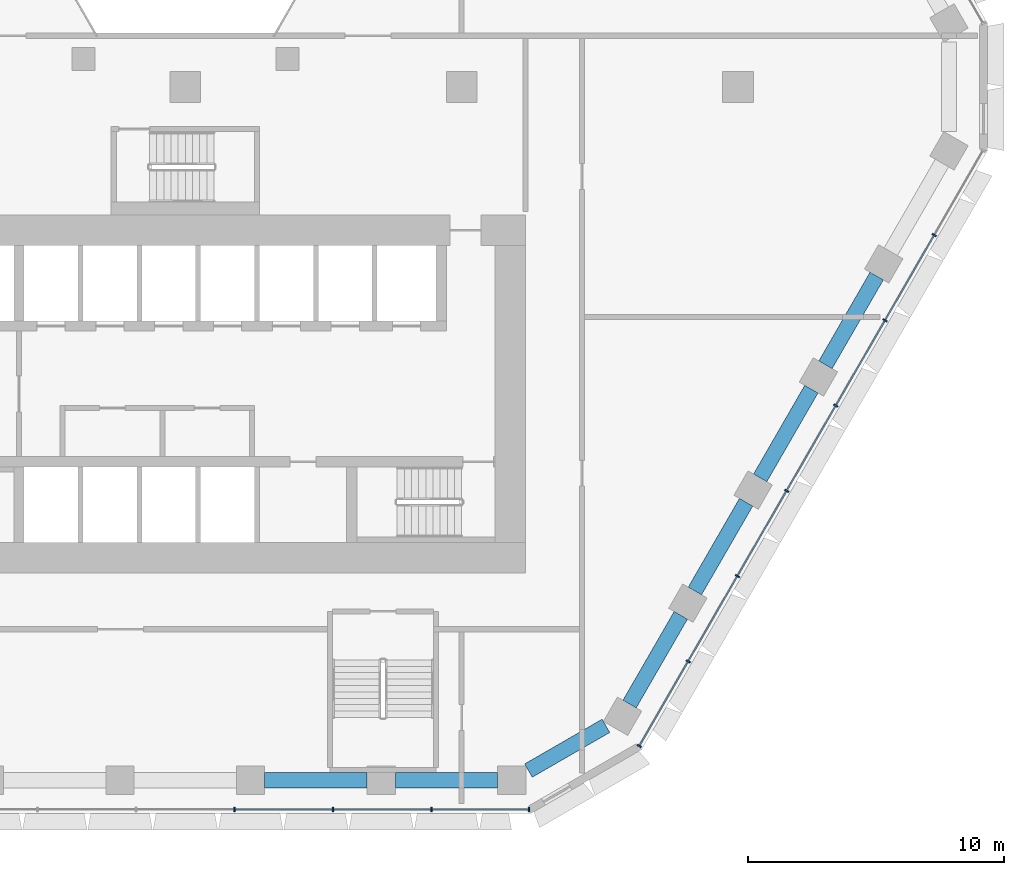
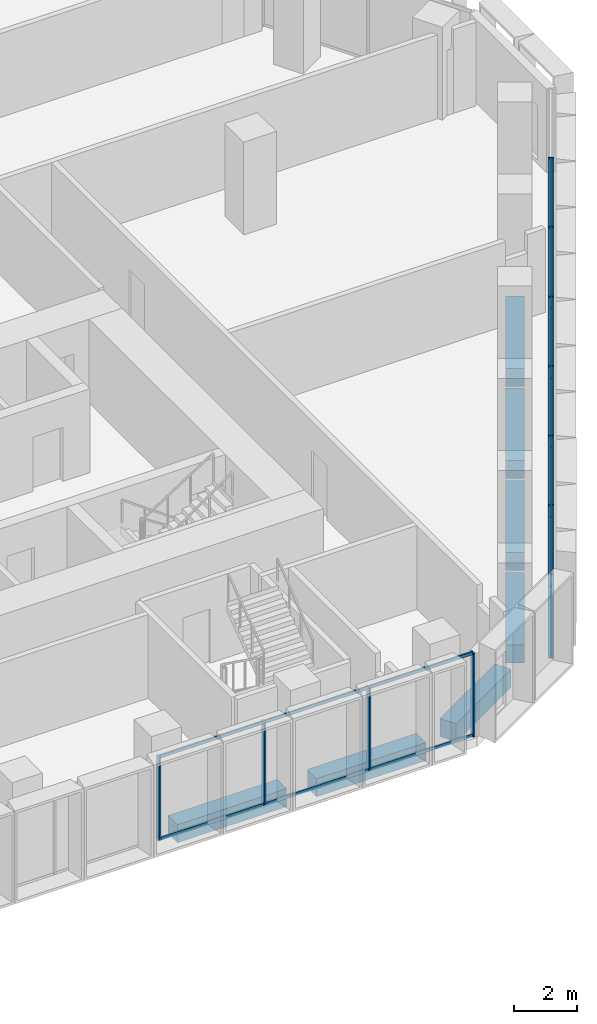
# One storey, part 4 of 22: 29 members, 7 beams, 2 elements without a shape of their own.
"""IFC4 building model written with IfcOpenShell, lengths in metres."""

from ifc_helpers import new_model, si_unit, direction, frame, origin, origin_2d, place, context, subcontext, project, spatial, rectangle, hollow_rectangle, extrude, material, material_profile, profile_set, type_object, element, aggregate, save


model = new_model("IFC4")

# Units and contexts
model_context = context("Model", 3, precision=1e-05, world=origin(), true_north=direction((0.0, 1.0)))
body_context = subcontext(model_context, "Body", "Model", "MODEL_VIEW")
ifc_project = project(units=[si_unit("LENGTHUNIT", "METRE"), si_unit("AREAUNIT", "SQUARE_METRE"), si_unit("VOLUMEUNIT", "CUBIC_METRE"), si_unit("PLANEANGLEUNIT", "RADIAN"), si_unit("MASSUNIT", "GRAM", prefix="KILO")], contexts=[model_context])

# Site, building, storey
site_placement = place(None, origin())
site = spatial("IfcSite", under=ifc_project, at=site_placement, CompositionType="ELEMENT")
building_placement = place(site_placement, origin())
building = spatial("IfcBuilding", under=site, at=building_placement, Name="Beryl Residences", CompositionType="ELEMENT")
storey_placement = place(building_placement, frame((0.0, 0.0, 12.60009765625)))
storey = spatial("IfcBuildingStorey", under=building, at=storey_placement, Name="L03", CompositionType="ELEMENT", Elevation=12.60009765625)

# Curtain wall, members
ifc_material_1 = material(Name="Aluminium and clear glass", Category="aluminium")
curtain_wall_type = type_object("IfcCurtainWallType", Name="CW2 amenity glazing glazed wall", PredefinedType="NOTDEFINED", material=ifc_material_1)
curtain_wall_1_placement = place(storey_placement, origin())
curtain_wall_1 = element("IfcCurtainWall", 1, at=curtain_wall_1_placement, inside=storey, type_object=curtain_wall_type, Name="CW2 L03 S", PredefinedType="NOTDEFINED")
ifc_material_2 = material(Name="Aluminium", Category="aluminium")
ifc_material_profile_1 = material_profile(ifc_material_2, rectangle(XDim=0.06005859375, YDim=0.179931640625, at=origin_2d()))
ifc_profile_set_1 = profile_set([ifc_material_profile_1], Name="Aluminium")
member_type_1 = type_object("IfcMemberType", Name="CW2-M mullion 60 x 180 mm", PredefinedType="MULLION", material=ifc_profile_set_1)
member_1_placement = place(storey_placement, frame((1.92431640625, -28.25, 0.0), z_axis=(0.0, 0.0, 1.0), x_axis=(1.0, 0.0, 0.0)))
member_1 = element("IfcMember", 2, at=member_1_placement, type_object=member_type_1, Name="CW2 mullion 5", PredefinedType="MULLION", context=body_context, shape_type="SweptSolid", body=[
    extrude(rectangle(XDim=0.06005859375, YDim=0.179931640625, at=origin_2d()), origin(), (0.0, 0.0, 1.0), 3.25),
])
member_2_placement = place(storey_placement, frame((5.77294921875, -28.25, 0.0), z_axis=(0.0, 0.0, 1.0), x_axis=(1.0, 0.0, 0.0)))
member_2 = element("IfcMember", 3, at=member_2_placement, type_object=member_type_1, Name="CW2 mullion 6", PredefinedType="MULLION", context=body_context, shape_type="SweptSolid", body=[
    extrude(rectangle(XDim=0.06005859375, YDim=0.179931640625, at=origin_2d()), origin(), (0.0, 0.0, 1.0), 3.25),
])
member_3_placement = place(storey_placement, frame((9.621337890625, -28.25, 0.0), z_axis=(0.0, 0.0, 1.0), x_axis=(1.0, 0.0, 0.0)))
member_3 = element("IfcMember", 4, at=member_3_placement, type_object=member_type_1, Name="CW2 mullion 7", PredefinedType="MULLION", context=body_context, shape_type="SweptSolid", body=[
    extrude(rectangle(XDim=0.06005859375, YDim=0.179931640625, at=origin_2d()), origin(), (0.0, 0.0, 1.0), 3.25),
])
member_4_placement = place(storey_placement, frame((13.43994140625, -28.25, 0.0), z_axis=(0.0, 0.0, 1.0), x_axis=(1.0, 0.0, 0.0)))
member_4 = element("IfcMember", 5, at=member_4_placement, type_object=member_type_1, Name="CW2 mullion 8", PredefinedType="MULLION", context=body_context, shape_type="SweptSolid", body=[
    extrude(rectangle(XDim=0.06005859375, YDim=0.179931640625, at=origin_2d()), origin(), (0.0, 0.0, 1.0), 3.25),
])

curtain_wall_2_placement = place(storey_placement, origin())
curtain_wall_2 = element("IfcCurtainWall", 6, at=curtain_wall_2_placement, inside=storey, type_object=curtain_wall_type, Name="CW2 L03 SE", PredefinedType="NOTDEFINED")
member_5_placement = place(storey_placement, frame((17.7451171875, -25.763916015625, 0.0), z_axis=(0.0, 0.0, 1.0), x_axis=(0.500011643322, 0.866018681405, 0.0)))
member_5 = element("IfcMember", 7, at=member_5_placement, type_object=member_type_1, Name="CW2 mullion 1", PredefinedType="MULLION", context=body_context, shape_type="SweptSolid", body=[
    extrude(rectangle(XDim=0.06005859375, YDim=0.179931640625, at=origin_2d()), origin(), (0.0, 0.0, 1.0), 3.25),
])
member_6_placement = place(storey_placement, frame((19.654296875, -22.45703125, 0.0), z_axis=(0.0, 0.0, 1.0), x_axis=(0.500011643322, 0.866018681405, 0.0)))
member_6 = element("IfcMember", 8, at=member_6_placement, type_object=member_type_1, Name="CW2 mullion 2", PredefinedType="MULLION", context=body_context, shape_type="SweptSolid", body=[
    extrude(rectangle(XDim=0.06005859375, YDim=0.179931640625, at=origin_2d()), origin(), (0.0, 0.0, 1.0), 3.25),
])
member_7_placement = place(storey_placement, frame((21.57861328125, -19.124267578125, 0.0), z_axis=(0.0, 0.0, 1.0), x_axis=(0.500011643322, 0.866018681405, 0.0)))
member_7 = element("IfcMember", 9, at=member_7_placement, type_object=member_type_1, Name="CW2 mullion 3", PredefinedType="MULLION", context=body_context, shape_type="SweptSolid", body=[
    extrude(rectangle(XDim=0.06005859375, YDim=0.179931640625, at=origin_2d()), origin(), (0.0, 0.0, 1.0), 3.25),
])
member_8_placement = place(storey_placement, frame((23.5029296875, -15.79150390625, 0.0), z_axis=(0.0, 0.0, 1.0), x_axis=(0.500011643322, 0.866018681405, 0.0)))
member_8 = element("IfcMember", 10, at=member_8_placement, type_object=member_type_1, Name="CW2 mullion 4", PredefinedType="MULLION", context=body_context, shape_type="SweptSolid", body=[
    extrude(rectangle(XDim=0.06005859375, YDim=0.179931640625, at=origin_2d()), origin(), (0.0, 0.0, 1.0), 3.25),
])
member_9_placement = place(storey_placement, frame((25.42724609375, -12.45849609375, 0.0), z_axis=(0.0, 0.0, 1.0), x_axis=(0.500011643322, 0.866018681405, 0.0)))
member_9 = element("IfcMember", 11, at=member_9_placement, type_object=member_type_1, Name="CW2 mullion 5", PredefinedType="MULLION", context=body_context, shape_type="SweptSolid", body=[
    extrude(rectangle(XDim=0.06005859375, YDim=0.179931640625, at=origin_2d()), origin(), (0.0, 0.0, 1.0), 3.25),
])
member_10_placement = place(storey_placement, frame((27.351318359375, -9.125732421875, 0.0), z_axis=(0.0, 0.0, 1.0), x_axis=(0.500011643322, 0.866018681405, 0.0)))
member_10 = element("IfcMember", 12, at=member_10_placement, type_object=member_type_1, Name="CW2 mullion 6", PredefinedType="MULLION", context=body_context, shape_type="SweptSolid", body=[
    extrude(rectangle(XDim=0.06005859375, YDim=0.179931640625, at=origin_2d()), origin(), (0.0, 0.0, 1.0), 3.25),
])
member_11_placement = place(storey_placement, frame((29.275634765625, -5.79296875, 0.0), z_axis=(0.0, 0.0, 1.0), x_axis=(0.500011643322, 0.866018681405, 0.0)))
member_11 = element("IfcMember", 13, at=member_11_placement, type_object=member_type_1, Name="CW2 mullion 7", PredefinedType="MULLION", context=body_context, shape_type="SweptSolid", body=[
    extrude(rectangle(XDim=0.06005859375, YDim=0.179931640625, at=origin_2d()), origin(), (0.0, 0.0, 1.0), 3.25),
])

# Member
ifc_material_3 = material(Name="Aluminium", Category="aluminium")
ifc_material_profile_2 = material_profile(ifc_material_3, hollow_rectangle(XDim=0.06005859375, YDim=0.1201171875, WallThickness=0.00390625, at=origin_2d()))
ifc_profile_set_2 = profile_set([ifc_material_profile_2], Name="Aluminium")
member_type_2 = type_object("IfcMemberType", Name="CW2-T transom 60 x 120 mm", PredefinedType="USERDEFINED", material=ifc_profile_set_2)
member_12_placement = place(storey_placement, frame((1.954345703125, -28.25, 0.02978515625), z_axis=(1.0, 0.0, 0.0), x_axis=(0.0, 1.0, 0.0)))
member_12 = element("IfcMember", 14, at=member_12_placement, type_object=member_type_2, Name="CW2 transom 5.1", ObjectType="TRANSOM", PredefinedType="USERDEFINED", context=body_context, shape_type="SweptSolid", body=[
    extrude(hollow_rectangle(XDim=0.06005859375, YDim=0.1201171875, WallThickness=0.00390625, at=origin_2d()), origin(), (0.0, 0.0, 1.0), 3.78857421875),
])

member_13_placement = place(storey_placement, frame((1.954345703125, -28.25, 3.219970703125), z_axis=(1.0, 0.0, 0.0), x_axis=(0.0, 1.0, 0.0)))
member_13 = element("IfcMember", 15, at=member_13_placement, type_object=member_type_2, Name="CW2 transom 5.2", ObjectType="TRANSOM", PredefinedType="USERDEFINED", context=body_context, shape_type="SweptSolid", body=[
    extrude(hollow_rectangle(XDim=0.06005859375, YDim=0.1201171875, WallThickness=0.00390625, at=origin_2d()), origin(), (0.0, 0.0, 1.0), 3.78857421875),
])

member_14_placement = place(storey_placement, frame((5.802978515625, -28.25, 0.02978515625), z_axis=(1.0, 0.0, 0.0), x_axis=(0.0, 1.0, 0.0)))
member_14 = element("IfcMember", 16, at=member_14_placement, type_object=member_type_2, Name="CW2 transom 6.1", ObjectType="TRANSOM", PredefinedType="USERDEFINED", context=body_context, shape_type="SweptSolid", body=[
    extrude(hollow_rectangle(XDim=0.06005859375, YDim=0.1201171875, WallThickness=0.00390625, at=origin_2d()), origin(), (0.0, 0.0, 1.0), 3.788330078125),
])

member_15_placement = place(storey_placement, frame((5.802978515625, -28.25, 3.219970703125), z_axis=(1.0, 0.0, 0.0), x_axis=(0.0, 1.0, 0.0)))
member_15 = element("IfcMember", 17, at=member_15_placement, type_object=member_type_2, Name="CW2 transom 6.2", ObjectType="TRANSOM", PredefinedType="USERDEFINED", context=body_context, shape_type="SweptSolid", body=[
    extrude(hollow_rectangle(XDim=0.06005859375, YDim=0.1201171875, WallThickness=0.00390625, at=origin_2d()), origin(), (0.0, 0.0, 1.0), 3.788330078125),
])

member_16_placement = place(storey_placement, frame((9.6513671875, -28.25, 0.02978515625), z_axis=(1.0, 0.0, 0.0), x_axis=(0.0, 1.0, 0.0)))
member_16 = element("IfcMember", 18, at=member_16_placement, type_object=member_type_2, Name="CW2 transom 7.1", ObjectType="TRANSOM", PredefinedType="USERDEFINED", context=body_context, shape_type="SweptSolid", body=[
    extrude(hollow_rectangle(XDim=0.06005859375, YDim=0.1201171875, WallThickness=0.00390625, at=origin_2d()), origin(), (0.0, 0.0, 1.0), 3.758544921875),
])

member_17_placement = place(storey_placement, frame((9.6513671875, -28.25, 3.219970703125), z_axis=(1.0, 0.0, 0.0), x_axis=(0.0, 1.0, 0.0)))
member_17 = element("IfcMember", 19, at=member_17_placement, type_object=member_type_2, Name="CW2 transom 7.2", ObjectType="TRANSOM", PredefinedType="USERDEFINED", context=body_context, shape_type="SweptSolid", body=[
    extrude(hollow_rectangle(XDim=0.06005859375, YDim=0.1201171875, WallThickness=0.00390625, at=origin_2d()), origin(), (0.0, 0.0, 1.0), 3.758544921875),
])

aggregate(curtain_wall_1, [member_1, member_2, member_3, member_4, member_12, member_13, member_14, member_15, member_16, member_17])

member_18_placement = place(storey_placement, frame((17.760009765625, -25.738037109375, 0.02978515625), z_axis=(0.500037327496, 0.866003851672, 0.0), x_axis=(-0.866003851672, 0.500037327496, 0.0)))
member_18 = element("IfcMember", 20, at=member_18_placement, type_object=member_type_2, Name="CW2 transom 1.1", ObjectType="TRANSOM", PredefinedType="USERDEFINED", context=body_context, shape_type="SweptSolid", body=[
    extrude(hollow_rectangle(XDim=0.06005859375, YDim=0.1201171875, WallThickness=0.00390625, at=origin_2d()), origin(), (0.0, 0.0, 1.0), 3.758544921875),
])

member_19_placement = place(storey_placement, frame((17.760009765625, -25.738037109375, 3.219970703125), z_axis=(0.500037327496, 0.866003851672, 0.0), x_axis=(-0.866003851672, 0.500037327496, 0.0)))
member_19 = element("IfcMember", 21, at=member_19_placement, type_object=member_type_2, Name="CW2 transom 1.2", ObjectType="TRANSOM", PredefinedType="USERDEFINED", context=body_context, shape_type="SweptSolid", body=[
    extrude(hollow_rectangle(XDim=0.06005859375, YDim=0.1201171875, WallThickness=0.00390625, at=origin_2d()), origin(), (0.0, 0.0, 1.0), 3.758544921875),
])

member_20_placement = place(storey_placement, frame((19.669189453125, -22.43115234375, 0.02978515625), z_axis=(0.499999503755, 0.866025690291, 0.0), x_axis=(-0.866025690291, 0.499999503755, 0.0)))
member_20 = element("IfcMember", 22, at=member_20_placement, type_object=member_type_2, Name="CW2 transom 2.1", ObjectType="TRANSOM", PredefinedType="USERDEFINED", context=body_context, shape_type="SweptSolid", body=[
    extrude(hollow_rectangle(XDim=0.06005859375, YDim=0.1201171875, WallThickness=0.00390625, at=origin_2d()), origin(), (0.0, 0.0, 1.0), 3.78857421875),
])

member_21_placement = place(storey_placement, frame((19.669189453125, -22.43115234375, 3.219970703125), z_axis=(0.499999503755, 0.866025690291, 0.0), x_axis=(-0.866025690291, 0.499999503755, 0.0)))
member_21 = element("IfcMember", 23, at=member_21_placement, type_object=member_type_2, Name="CW2 transom 2.2", ObjectType="TRANSOM", PredefinedType="USERDEFINED", context=body_context, shape_type="SweptSolid", body=[
    extrude(hollow_rectangle(XDim=0.06005859375, YDim=0.1201171875, WallThickness=0.00390625, at=origin_2d()), origin(), (0.0, 0.0, 1.0), 3.78857421875),
])

member_22_placement = place(storey_placement, frame((21.593505859375, -19.098388671875, 0.02978515625), z_axis=(0.499999503755, 0.866025690291, 0.0), x_axis=(-0.866025690291, 0.499999503755, 0.0)))
member_22 = element("IfcMember", 24, at=member_22_placement, type_object=member_type_2, Name="CW2 transom 3.1", ObjectType="TRANSOM", PredefinedType="USERDEFINED", context=body_context, shape_type="SweptSolid", body=[
    extrude(hollow_rectangle(XDim=0.06005859375, YDim=0.1201171875, WallThickness=0.00390625, at=origin_2d()), origin(), (0.0, 0.0, 1.0), 3.78857421875),
])

member_23_placement = place(storey_placement, frame((21.593505859375, -19.098388671875, 3.219970703125), z_axis=(0.499999503755, 0.866025690291, 0.0), x_axis=(-0.866025690291, 0.499999503755, 0.0)))
member_23 = element("IfcMember", 25, at=member_23_placement, type_object=member_type_2, Name="CW2 transom 3.2", ObjectType="TRANSOM", PredefinedType="USERDEFINED", context=body_context, shape_type="SweptSolid", body=[
    extrude(hollow_rectangle(XDim=0.06005859375, YDim=0.1201171875, WallThickness=0.00390625, at=origin_2d()), origin(), (0.0, 0.0, 1.0), 3.78857421875),
])

member_24_placement = place(storey_placement, frame((23.517822265625, -15.765380859375, 0.02978515625), z_axis=(0.500027408906, 0.866009578667, 0.0), x_axis=(-0.866009578667, 0.500027408906, 0.0)))
member_24 = element("IfcMember", 26, at=member_24_placement, type_object=member_type_2, Name="CW2 transom 4.1", ObjectType="TRANSOM", PredefinedType="USERDEFINED", context=body_context, shape_type="SweptSolid", body=[
    extrude(hollow_rectangle(XDim=0.06005859375, YDim=0.1201171875, WallThickness=0.00390625, at=origin_2d()), origin(), (0.0, 0.0, 1.0), 3.788330078125),
])

member_25_placement = place(storey_placement, frame((23.517822265625, -15.765380859375, 3.219970703125), z_axis=(0.500027408906, 0.866009578667, 0.0), x_axis=(-0.866009578667, 0.500027408906, 0.0)))
member_25 = element("IfcMember", 27, at=member_25_placement, type_object=member_type_2, Name="CW2 transom 4.2", ObjectType="TRANSOM", PredefinedType="USERDEFINED", context=body_context, shape_type="SweptSolid", body=[
    extrude(hollow_rectangle(XDim=0.06005859375, YDim=0.1201171875, WallThickness=0.00390625, at=origin_2d()), origin(), (0.0, 0.0, 1.0), 3.788330078125),
])

member_26_placement = place(storey_placement, frame((25.442138671875, -12.4326171875, 0.02978515625), z_axis=(0.499999503755, 0.866025690291, 0.0), x_axis=(-0.866025690291, 0.499999503755, 0.0)))
member_26 = element("IfcMember", 28, at=member_26_placement, type_object=member_type_2, Name="CW2 transom 5.1", ObjectType="TRANSOM", PredefinedType="USERDEFINED", context=body_context, shape_type="SweptSolid", body=[
    extrude(hollow_rectangle(XDim=0.06005859375, YDim=0.1201171875, WallThickness=0.00390625, at=origin_2d()), origin(), (0.0, 0.0, 1.0), 3.78857421875),
])

member_27_placement = place(storey_placement, frame((25.442138671875, -12.4326171875, 3.219970703125), z_axis=(0.499999503755, 0.866025690291, 0.0), x_axis=(-0.866025690291, 0.499999503755, 0.0)))
member_27 = element("IfcMember", 29, at=member_27_placement, type_object=member_type_2, Name="CW2 transom 5.2", ObjectType="TRANSOM", PredefinedType="USERDEFINED", context=body_context, shape_type="SweptSolid", body=[
    extrude(hollow_rectangle(XDim=0.06005859375, YDim=0.1201171875, WallThickness=0.00390625, at=origin_2d()), origin(), (0.0, 0.0, 1.0), 3.78857421875),
])

member_28_placement = place(storey_placement, frame((27.366455078125, -9.099853515625, 0.02978515625), z_axis=(0.499999503755, 0.866025690291, 0.0), x_axis=(-0.866025690291, 0.499999503755, 0.0)))
member_28 = element("IfcMember", 30, at=member_28_placement, type_object=member_type_2, Name="CW2 transom 6.1", ObjectType="TRANSOM", PredefinedType="USERDEFINED", context=body_context, shape_type="SweptSolid", body=[
    extrude(hollow_rectangle(XDim=0.06005859375, YDim=0.1201171875, WallThickness=0.00390625, at=origin_2d()), origin(), (0.0, 0.0, 1.0), 3.78857421875),
])

member_29_placement = place(storey_placement, frame((27.366455078125, -9.099853515625, 3.219970703125), z_axis=(0.499999503755, 0.866025690291, 0.0), x_axis=(-0.866025690291, 0.499999503755, 0.0)))
member_29 = element("IfcMember", 31, at=member_29_placement, type_object=member_type_2, Name="CW2 transom 6.2", ObjectType="TRANSOM", PredefinedType="USERDEFINED", context=body_context, shape_type="SweptSolid", body=[
    extrude(hollow_rectangle(XDim=0.06005859375, YDim=0.1201171875, WallThickness=0.00390625, at=origin_2d()), origin(), (0.0, 0.0, 1.0), 3.78857421875),
])

aggregate(curtain_wall_2, [member_5, member_6, member_7, member_8, member_9, member_10, member_11, member_18, member_19, member_20, member_21, member_22, member_23, member_24, member_25, member_26, member_27, member_28, member_29])

# Beams
ifc_material_4 = material(Name="Concrete C80/95", Category="concrete")
ifc_material_profile_3 = material_profile(ifc_material_4, rectangle(XDim=0.60009765625, YDim=0.699951171875, at=origin_2d()))
ifc_profile_set_3 = profile_set([ifc_material_profile_3], Name="Concrete C80/95")
beam_type = type_object("IfcBeamType", Name="SB1 spandrel beam 600 x 700 C80/95", PredefinedType="SPANDREL", material=ifc_profile_set_3)
for number, where, z_axis, x_axis, name in (
    (32, (3.10302734375, -27.10009765625, -0.7001953125), (1.0, 0.0, 0.0), (0.0, 1.0, 0.0), "SB1 L03 S-3"),
    (33, (8.20703125, -27.10009765625, -0.7001953125), (1.0, 0.0, 0.0), (0.0, 1.0, 0.0), "SB1 L03 S-4"),
):
    element("IfcBeam", number, at=place(storey_placement, frame(where, z_axis=z_axis, x_axis=x_axis)), inside=storey, type_object=beam_type, Name=name, PredefinedType="SPANDREL", context=body_context, shape_type="SweptSolid", body=[
        extrude(rectangle(XDim=0.60009765625, YDim=0.699951171875, at=origin_2d()), origin(), (0.0, 0.0, 1.0), 4.00390625),
    ])
beam_1_placement = place(storey_placement, frame((13.410888671875, -26.72412109375, -0.7001953125), z_axis=(0.866121658299, 0.499833245218, 0.0), x_axis=(-0.499833245218, 0.866121658299, 0.0)))
element("IfcBeam", 34, at=beam_1_placement, inside=storey, type_object=beam_type, Name="SB1 L03 S-5", PredefinedType="SPANDREL", context=body_context, shape_type="SweptSolid", body=[
    extrude(rectangle(XDim=0.60009765625, YDim=0.699951171875, at=origin_2d()), origin(), (0.0, 0.0, 1.0), 3.497314453125),
])
beam_2_placement = place(storey_placement, frame((17.364990234375, -24.1240234375, -0.7001953125), z_axis=(0.499942357345, 0.866058681229, 0.0), x_axis=(-0.866058681229, 0.499942357345, 0.0)))
element("IfcBeam", 35, at=beam_2_placement, inside=storey, type_object=beam_type, Name="SB1 L03 SE-0", PredefinedType="SPANDREL", context=body_context, shape_type="SweptSolid", body=[
    extrude(rectangle(XDim=0.60009765625, YDim=0.699951171875, at=origin_2d()), origin(), (0.0, 0.0, 1.0), 4.00439453125),
])
beam_3_placement = place(storey_placement, frame((19.9169921875, -19.7041015625, -0.7001953125), z_axis=(0.499836783367, 0.866119616446, 0.0), x_axis=(-0.866119616446, 0.499836783367, 0.0)))
element("IfcBeam", 36, at=beam_3_placement, inside=storey, type_object=beam_type, Name="SB1 L03 SE-1", PredefinedType="SPANDREL", context=body_context, shape_type="SweptSolid", body=[
    extrude(rectangle(XDim=0.60009765625, YDim=0.699951171875, at=origin_2d()), origin(), (0.0, 0.0, 1.0), 4.005126953125),
])
for number, where, z_axis, x_axis, name in (
    (37, (22.468994140625, -15.282958984375, -0.7001953125), (0.499942357345, 0.866058681229, 0.0), (-0.866058681229, 0.499942357345, 0.0), "SB1 L03 SE-2"),
    (38, (25.02099609375, -10.863037109375, -0.7001953125), (0.499942357345, 0.866058681229, 0.0), (-0.866058681229, 0.499942357345, 0.0), "SB1 L03 SE-3"),
):
    element("IfcBeam", number, at=place(storey_placement, frame(where, z_axis=z_axis, x_axis=x_axis)), inside=storey, type_object=beam_type, Name=name, PredefinedType="SPANDREL", context=body_context, shape_type="SweptSolid", body=[
        extrude(rectangle(XDim=0.60009765625, YDim=0.699951171875, at=origin_2d()), origin(), (0.0, 0.0, 1.0), 4.00439453125),
    ])

save(model, "model.ifc")
